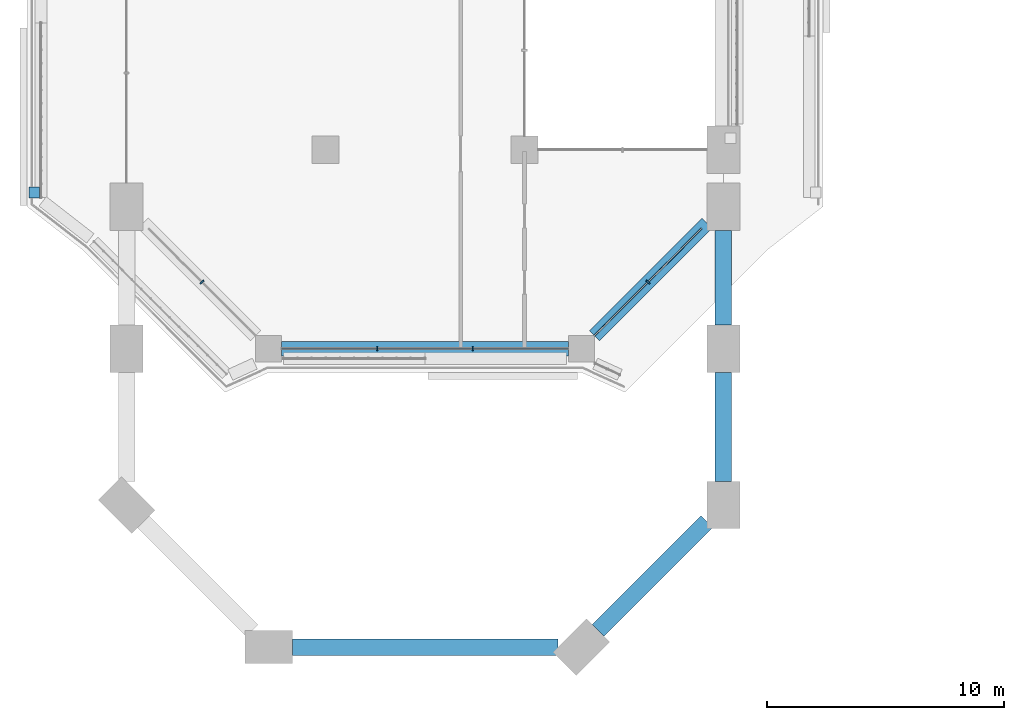
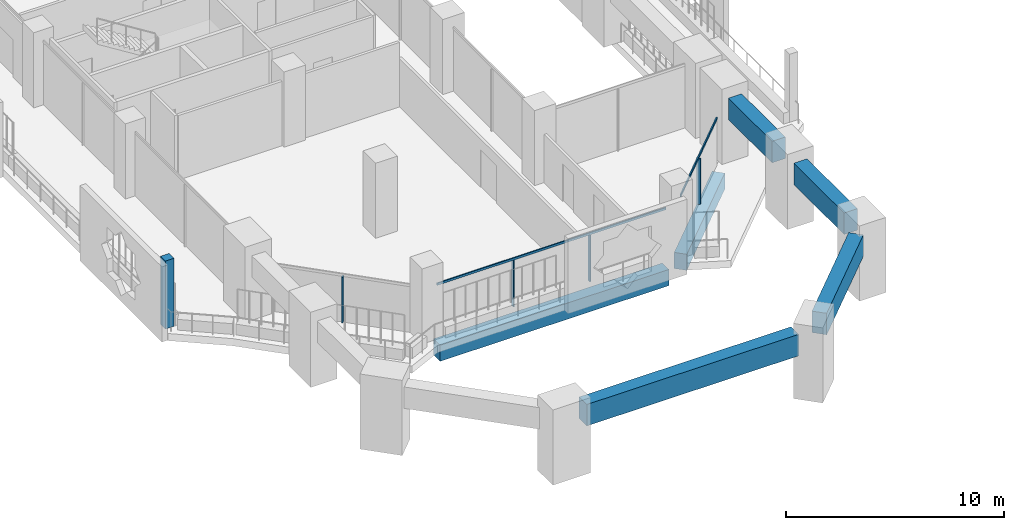
# One storey, part 2 of 29: 7 members, 6 beams, 4 elements without a shape of their own.
"""IFC4 building model written with IfcOpenShell, lengths in metres."""

from ifc_helpers import new_model, si_unit, direction, frame, origin, origin_2d, place, context, subcontext, project, spatial, rectangle, extrude, material, layer, layer_set, material_profile, profile_set, type_object, element, aggregate, save


model = new_model("IFC4")

# Units and contexts
model_context = context("Model", 3, precision=1e-05, world=origin(), true_north=direction((0.0, 1.0)))
body_context = subcontext(model_context, "Body", "Model", "MODEL_VIEW")
ifc_project = project(units=[si_unit("LENGTHUNIT", "METRE"), si_unit("AREAUNIT", "SQUARE_METRE"), si_unit("VOLUMEUNIT", "CUBIC_METRE"), si_unit("PLANEANGLEUNIT", "RADIAN"), si_unit("MASSUNIT", "GRAM", prefix="KILO")], contexts=[model_context])

# Site, building, storey
site_placement = place(None, origin())
site = spatial("IfcSite", under=ifc_project, at=site_placement, CompositionType="ELEMENT")
building_placement = place(site_placement, origin())
building = spatial("IfcBuilding", under=site, at=building_placement, Name="Kawkab Arch Medical Tower", CompositionType="ELEMENT")
storey_placement = place(building_placement, frame((0.0, 0.0, 107.199951171875)))
storey = spatial("IfcBuildingStorey", under=building, at=storey_placement, Name="L24", CompositionType="ELEMENT", Elevation=107.199951171875)

# Curtain wall, members
ifc_material_1 = material(Name="Bronze anodised aluminium curtain wall frame", Category="aluminium")
ifc_layer_1 = layer(ifc_material_1, 0.159912109375)
ifc_layer_set_1 = layer_set([ifc_layer_1], Name="Bronze anodised aluminium curtain wall frame")
curtain_wall_type_1 = type_object("IfcCurtainWallType", Name="CW1 ward curtain wall", PredefinedType="NOTDEFINED", material=ifc_layer_set_1)
placement = place(storey_placement, origin())
curtain_wall_1 = element("IfcCurtainWall", 1, at=placement, inside=storey, type_object=curtain_wall_type_1, Name="CW1 Ward curtain wall R15", PredefinedType="NOTDEFINED")
ifc_material_2 = material(Name="Bronze anodised aluminium curtain wall frame", Category="aluminium")
ifc_material_profile_1 = material_profile(ifc_material_2, rectangle(XDim=0.179931640625, YDim=0.06005859375, at=origin_2d()), Name="AL 60x180")
ifc_profile_set_1 = profile_set([ifc_material_profile_1], Name="Bronze anodised aluminium curtain wall frame")
member_type_1 = type_object("IfcMemberType", Name="CW1 mullion 60 x 180", PredefinedType="MULLION", material=ifc_profile_set_1)
member_1_placement = place(storey_placement, frame((10.583251953125, -58.800048828125, 0.0), z_axis=(0.0, 0.0, 1.0), x_axis=(0.0, 1.0, 0.0)))
member_1 = element("IfcMember", 2, at=member_1_placement, type_object=member_type_1, Name="CW1 mullion 1.1", PredefinedType="MULLION", context=body_context, shape_type="SweptSolid", body=[
    extrude(rectangle(XDim=0.179931640625, YDim=0.06005859375, at=origin_2d()), origin(), (0.0, 0.0, 1.0), 2.580078125),
])
member_2_placement = place(storey_placement, frame((14.61669921875, -58.800048828125, 0.0), z_axis=(0.0, 0.0, 1.0), x_axis=(0.0, 1.0, 0.0)))
member_2 = element("IfcMember", 3, at=member_2_placement, type_object=member_type_1, Name="CW1 mullion 1.2", PredefinedType="MULLION", context=body_context, shape_type="SweptSolid", body=[
    extrude(rectangle(XDim=0.179931640625, YDim=0.06005859375, at=origin_2d()), origin(), (0.0, 0.0, 1.0), 2.580078125),
])
ifc_material_3 = material(Name="Bronze anodised aluminium curtain wall frame", Category="aluminium")
ifc_material_profile_2 = material_profile(ifc_material_3, rectangle(XDim=0.06005859375, YDim=0.1201171875, at=origin_2d()), Name="AL 60x120")
ifc_profile_set_2 = profile_set([ifc_material_profile_2], Name="Bronze anodised aluminium curtain wall frame")
member_type_2 = type_object("IfcMemberType", Name="CW1 transom 120 x 60", PredefinedType="USERDEFINED", material=ifc_profile_set_2)
member_3_placement = place(storey_placement, frame((6.550048828125, -58.800048828125, 2.64013671875), z_axis=(1.0, 0.0, 0.0), x_axis=(0.0, 1.0, 0.0)))
member_3 = element("IfcMember", 4, at=member_3_placement, type_object=member_type_2, Name="CW1 transom 1", ObjectType="TRANSOM", PredefinedType="USERDEFINED", context=body_context, shape_type="SweptSolid", body=[
    extrude(rectangle(XDim=0.06005859375, YDim=0.1201171875, at=origin_2d()), origin(), (0.0, 0.0, 1.0), 12.099853515625),
])
aggregate(curtain_wall_1, [member_3, member_1, member_2])

# Curtain wall, member
ifc_material_4 = material(Name="Bronze anodised aluminium curtain wall frame", Category="aluminium")
ifc_layer_2 = layer(ifc_material_4, 0.159912109375)
ifc_layer_set_2 = layer_set([ifc_layer_2], Name="Bronze anodised aluminium curtain wall frame")
curtain_wall_type_2 = type_object("IfcCurtainWallType", Name="CW2 chamfer curtain wall", PredefinedType="NOTDEFINED", material=ifc_layer_set_2)
curtain_wall_2 = element("IfcCurtainWall", 5, at=placement, inside=storey, type_object=curtain_wall_type_2, Name="CW2 Chamfer curtain wall R14", PredefinedType="NOTDEFINED")
ifc_material_5 = material(Name="Bronze anodised aluminium curtain wall frame", Category="aluminium")
ifc_material_profile_3 = material_profile(ifc_material_5, rectangle(XDim=0.199951171875, YDim=0.06005859375, at=origin_2d()), Name="AL 60x200")
ifc_profile_set_3 = profile_set([ifc_material_profile_3], Name="Bronze anodised aluminium curtain wall frame")
member_type_3 = type_object("IfcMemberType", Name="CW2 mullion 60 x 200", PredefinedType="MULLION", material=ifc_profile_set_3)
member_4_placement = place(storey_placement, frame((3.190185546875, -55.990234375, 0.0), z_axis=(0.0, 0.0, 1.0), x_axis=(0.707106781187, 0.707106781187, 0.0)))
member_4 = element("IfcMember", 6, at=member_4_placement, type_object=member_type_3, Name="CW2 mullion 1.1", PredefinedType="MULLION", context=body_context, shape_type="SweptSolid", body=[
    extrude(rectangle(XDim=0.199951171875, YDim=0.06005859375, at=origin_2d()), origin(), (0.0, 0.0, 1.0), 2.56005859375),
])
aggregate(curtain_wall_2, [member_4])

# Curtain wall, members
curtain_wall_3 = element("IfcCurtainWall", 7, at=placement, inside=storey, type_object=curtain_wall_type_2, Name="CW2 Chamfer curtain wall R16", PredefinedType="NOTDEFINED")
member_5_placement = place(storey_placement, frame((22.009765625, -55.990234375, 0.0), z_axis=(0.0, 0.0, 1.0), x_axis=(-0.707106781187, 0.707106781187, 0.0)))
member_5 = element("IfcMember", 8, at=member_5_placement, type_object=member_type_3, Name="CW2 mullion 1.1", PredefinedType="MULLION", context=body_context, shape_type="SweptSolid", body=[
    extrude(rectangle(XDim=0.199951171875, YDim=0.06005859375, at=origin_2d()), origin(), (0.0, 0.0, 1.0), 2.56005859375),
])
ifc_material_6 = material(Name="Bronze anodised aluminium curtain wall frame", Category="aluminium")
ifc_material_profile_4 = material_profile(ifc_material_6, rectangle(XDim=0.06005859375, YDim=0.139892578125, at=origin_2d()), Name="AL 60x140")
ifc_profile_set_4 = profile_set([ifc_material_profile_4], Name="Bronze anodised aluminium curtain wall frame")
member_type_4 = type_object("IfcMemberType", Name="CW2 transom 140 x 60", PredefinedType="USERDEFINED", material=ifc_profile_set_4)
member_6_placement = place(storey_placement, frame((19.75, -58.25, 2.630126953125), z_axis=(0.707106781187, 0.707106781187, 0.0), x_axis=(-0.707106781187, 0.707106781187, 0.0)))
member_6 = element("IfcMember", 9, at=member_6_placement, type_object=member_type_4, Name="CW2 transom 1", ObjectType="TRANSOM", PredefinedType="USERDEFINED", context=body_context, shape_type="SweptSolid", body=[
    extrude(rectangle(XDim=0.06005859375, YDim=0.139892578125, at=origin_2d()), origin(), (0.0, 0.0, 1.0), 6.391845703125),
])
aggregate(curtain_wall_3, [member_6, member_5])

# Curtain wall, member
ifc_material_7 = material(Name="Bronze anodised aluminium climber frame, planted", Category="aluminium")
ifc_layer_3 = layer(ifc_material_7, 0.449951171875)
ifc_layer_set_3 = layer_set([ifc_layer_3], Name="Bronze anodised aluminium climber frame, planted")
curtain_wall_type_3 = type_object("IfcCurtainWallType", Name="Planted climber frame", PredefinedType="NOTDEFINED", material=ifc_layer_set_3)
curtain_wall_4 = element("IfcCurtainWall", 10, at=placement, inside=storey, type_object=curtain_wall_type_3, Name="Planted climber frame L24", PredefinedType="NOTDEFINED")
ifc_material_8 = material(Name="Bronze anodised aluminium climber frame, planted", Category="aluminium")
ifc_material_profile_5 = material_profile(ifc_material_8, rectangle(XDim=0.449951171875, YDim=0.449951171875, at=origin_2d()), Name="Post 450x450")
ifc_profile_set_5 = profile_set([ifc_material_profile_5], Name="Bronze anodised aluminium climber frame, planted")
member_type_5 = type_object("IfcMemberType", Name="Planted climber post 450 x 450", PredefinedType="MULLION", material=ifc_profile_set_5)
member_7_placement = place(storey_placement, frame((-3.89990234375, -52.202880859375, 0.0), z_axis=(0.0, 0.0, 1.0), x_axis=(1.0, 0.0, 0.0)))
member_7 = element("IfcMember", 11, at=member_7_placement, type_object=member_type_5, Name="Planted climber post L24.LOG-01-02.1", PredefinedType="MULLION", context=body_context, shape_type="SweptSolid", body=[
    extrude(rectangle(XDim=0.449951171875, YDim=0.449951171875, at=origin_2d()), origin(), (0.0, 0.0, 1.0), 3.800048828125),
])
aggregate(curtain_wall_4, [member_7])

# Beams
ifc_material_9 = material(Name="Concrete C55/67", Category="concrete")
ifc_material_profile_6 = material_profile(ifc_material_9, rectangle(XDim=0.60009765625, YDim=0.89990234375, at=origin_2d()), Name="RC 600x900")
ifc_profile_set_6 = profile_set([ifc_material_profile_6], Name="Concrete C55/67")
beam_type_1 = type_object("IfcBeamType", Name="RC 600x900 beam C55/67", PredefinedType="BEAM", material=ifc_profile_set_6)
beam_1_placement = place(storey_placement, frame((24.5, -53.5, -1.050048828125), z_axis=(-0.707106781187, -0.707106781187, 0.0), x_axis=(0.707106781187, -0.707106781187, 0.0)))
element("IfcBeam", 12, at=beam_1_placement, inside=storey, type_object=beam_type_1, Name="Overhang edge beam L24-08", PredefinedType="BEAM", context=body_context, shape_type="SweptSolid", body=[
    extrude(rectangle(XDim=0.60009765625, YDim=0.89990234375, at=origin_2d()), origin(), (0.0, 0.0, 1.0), 6.717529296875),
])
beam_2_placement = place(storey_placement, frame((18.64990234375, -58.800048828125, -1.050048828125), z_axis=(-1.0, 0.0, 0.0), x_axis=(0.0, -1.0, 0.0)))
element("IfcBeam", 13, at=beam_2_placement, inside=storey, type_object=beam_type_1, Name="Overhang edge beam L24-09", PredefinedType="BEAM", context=body_context, shape_type="SweptSolid", body=[
    extrude(rectangle(XDim=0.60009765625, YDim=0.89990234375, at=origin_2d()), origin(), (0.0, 0.0, 1.0), 12.099853515625),
])
ifc_material_10 = material(Name="Concrete C55/67", Category="concrete")
ifc_material_profile_7 = material_profile(ifc_material_10, rectangle(XDim=0.699951171875, YDim=1.199951171875, at=origin_2d()), Name="RC 700x1200")
ifc_profile_set_7 = profile_set([ifc_material_profile_7], Name="Concrete C55/67")
beam_type_2 = type_object("IfcBeamType", Name="RC 700x1200 beam C55/67", PredefinedType="BEAM", material=ifc_profile_set_7)
beam_3_placement = place(storey_placement, frame((25.199951171875, -53.800048828125, 3.0), z_axis=(0.0, -1.0, 0.0), x_axis=(1.0, 0.0, 0.0)))
element("IfcBeam", 14, at=beam_3_placement, inside=storey, type_object=beam_type_2, Name="Terrace frame beam TF-L22-1-L25-01", PredefinedType="BEAM", context=body_context, shape_type="SweptSolid", body=[
    extrude(rectangle(XDim=0.699951171875, YDim=1.199951171875, at=origin_2d()), origin(), (0.0, 0.0, 1.0), 4.0),
])
beam_4_placement = place(storey_placement, frame((25.199951171875, -59.800048828125, 3.0), z_axis=(0.0, -1.0, 0.0), x_axis=(1.0, 0.0, 0.0)))
element("IfcBeam", 15, at=beam_4_placement, inside=storey, type_object=beam_type_2, Name="Terrace frame beam TF-L22-1-L25-02", PredefinedType="BEAM", context=body_context, shape_type="SweptSolid", body=[
    extrude(rectangle(XDim=0.699951171875, YDim=1.199951171875, at=origin_2d()), origin(), (0.0, 0.0, 1.0), 4.599853515625),
])
beam_5_placement = place(storey_placement, frame((24.5, -66.10009765625, 3.0), z_axis=(-0.707125574473, -0.707087987401, 0.0), x_axis=(0.707087987401, -0.707125574473, 0.0)))
element("IfcBeam", 16, at=beam_5_placement, inside=storey, type_object=beam_type_2, Name="Terrace frame beam TF-L22-1-L25-03", PredefinedType="BEAM", context=body_context, shape_type="SweptSolid", body=[
    extrude(rectangle(XDim=0.699951171875, YDim=1.199951171875, at=origin_2d()), origin(), (0.0, 0.0, 1.0), 6.495361328125),
])
beam_6_placement = place(storey_placement, frame((18.210205078125, -71.39990234375, 3.0), z_axis=(-1.0, 0.0, 0.0), x_axis=(0.0, -1.0, 0.0)))
element("IfcBeam", 17, at=beam_6_placement, inside=storey, type_object=beam_type_2, Name="Terrace frame beam TF-L22-1-L25-04", PredefinedType="BEAM", context=body_context, shape_type="SweptSolid", body=[
    extrude(rectangle(XDim=0.699951171875, YDim=1.199951171875, at=origin_2d()), origin(), (0.0, 0.0, 1.0), 11.210205078125),
])

save(model, "model.ifc")
